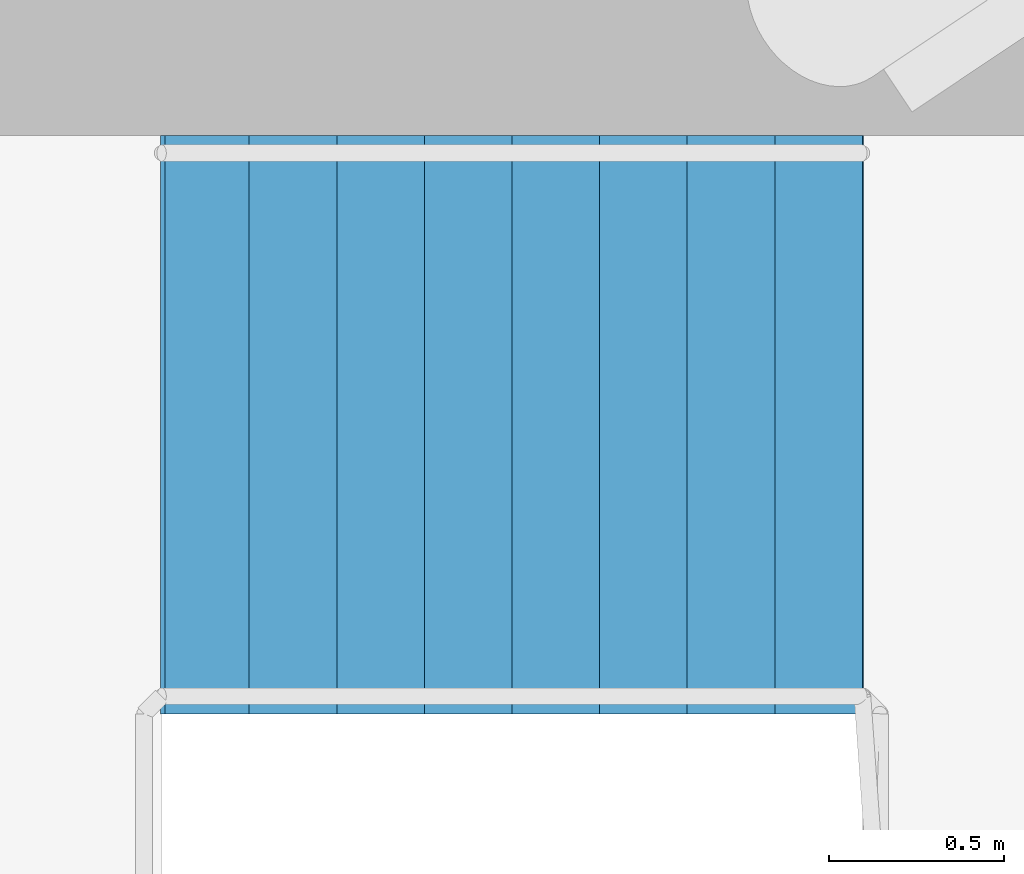
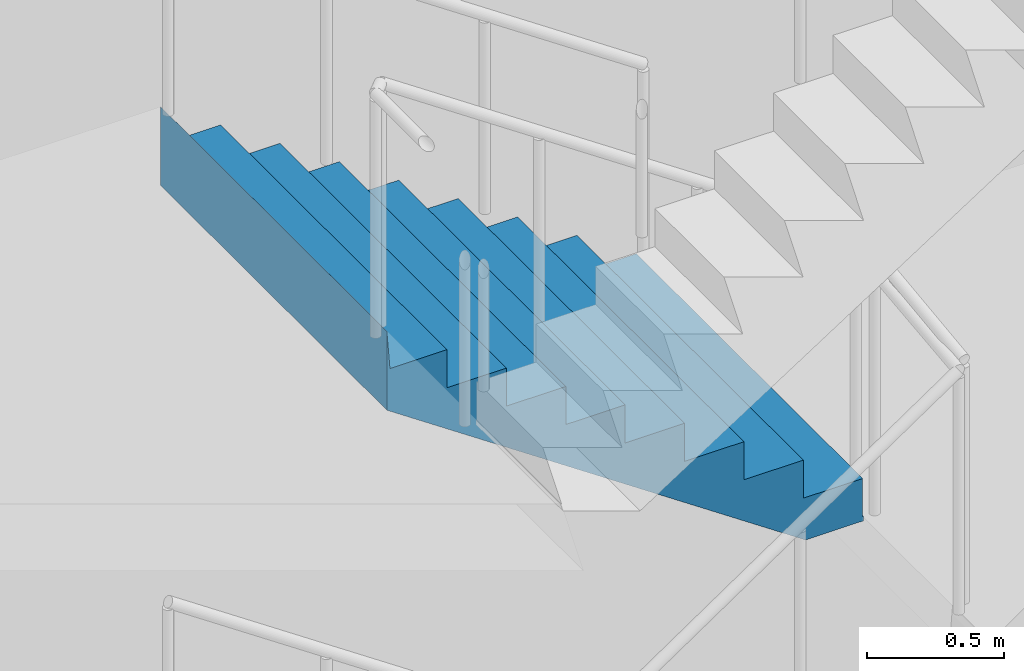
# One storey, part 17 of 22: 1 stair flight, 1 element without a shape of its own.
"""IFC4 building model written with IfcOpenShell, lengths in metres."""

from ifc_helpers import new_model, si_unit, direction, frame, origin, place, context, subcontext, project, spatial, triangles, material, type_object, element, aggregate, save


model = new_model("IFC4")

# Units and contexts
model_context = context("Model", 3, precision=1e-05, world=origin(), true_north=direction((0.0, 1.0)))
body_context = subcontext(model_context, "Body", "Model", "MODEL_VIEW")
ifc_project = project(units=[si_unit("LENGTHUNIT", "METRE"), si_unit("AREAUNIT", "SQUARE_METRE"), si_unit("VOLUMEUNIT", "CUBIC_METRE"), si_unit("PLANEANGLEUNIT", "RADIAN"), si_unit("MASSUNIT", "GRAM", prefix="KILO")], contexts=[model_context])

# Site, building, storey
site_placement = place(None, origin())
site = spatial("IfcSite", under=ifc_project, at=site_placement, CompositionType="ELEMENT")
building_placement = place(site_placement, origin())
building = spatial("IfcBuilding", under=site, at=building_placement, Name="Maasbend Ring Residences", CompositionType="ELEMENT")
storey_placement = place(building_placement, frame((0.0, 0.0, 57.5)))
storey = spatial("IfcBuildingStorey", under=building, at=storey_placement, Name="L16", CompositionType="ELEMENT", Elevation=57.5)

# Stair, stair flight
ifc_material_1 = material(Name="Concrete C40/50", Category="concrete")
stair_type = type_object("IfcStairType", Name="CORE STAIR 36 RISERS", PredefinedType="HALF_TURN_STAIR", material=ifc_material_1)
stair_placement = place(storey_placement, origin())
stair = element("IfcStair", 1, at=stair_placement, inside=storey, type_object=stair_type, Name="L16 Exit stair ST-E1", PredefinedType="HALF_TURN_STAIR")
ifc_material_2 = material(Name="Concrete C40/50", Category="concrete")
stair_flight_type = type_object("IfcStairFlightType", Name="CORE STAIR FLIGHT 1650", PredefinedType="STRAIGHT", material=ifc_material_2)
stair_flight_placement = place(storey_placement, frame((13.550048828125, 7.77490234375, 3.050048828125), z_axis=(0.0, 0.0, 1.0), x_axis=(-1.0, 0.0, 0.0)))
stair_flight = element("IfcStairFlight", 2, at=stair_flight_placement, type_object=stair_flight_type, Name="ST-E1 flight 3", NumberOfRisers=9, NumberOfTreads=8, PredefinedType="STRAIGHT", RiserHeight=0.169444444, TreadLength=0.25, context=body_context, shape_type="Tessellation", body=[
    triangles([(0.24072265625, 0.824951171875, -0.02001953125), (2.0029296875, 0.824951171875, 1.174560546875), (2.0029296875, 0.824951171875, 1.52490234375), (1.989990234375, 0.824951171875, 1.35546875), (1.75, 0.824951171875, 1.35546875), (1.75, 0.824951171875, 1.18603515625), (1.5, 0.824951171875, 1.18603515625), (1.5, 0.824951171875, 1.0166015625), (1.25, 0.824951171875, 1.0166015625), (1.25, 0.824951171875, 0.84716796875), (1.0, 0.824951171875, 0.84716796875), (1.0, 0.824951171875, 0.677734375), (0.75, 0.824951171875, 0.677734375), (0.75, 0.824951171875, 0.50830078125), (0.5, 0.824951171875, 0.50830078125), (0.5, 0.824951171875, 0.3388671875), (0.25, 0.824951171875, 0.3388671875), (0.25, 0.824951171875, 0.16943359375), (0.0, 0.824951171875, 0.16943359375), (0.0, 0.824951171875, 0.0), (-0.0029296875, 0.824951171875, 0.0), (-0.0029296875, 0.824951171875, -0.02001953125), (0.24072265625, 0.27490234375, -0.02001953125), (2.0029296875, 0.27490234375, 1.174560546875), (2.0029296875, 0.27490234375, 1.52490234375), (1.989990234375, 0.27490234375, 1.35546875), (1.75, 0.27490234375, 1.35546875), (1.75, 0.27490234375, 1.18603515625), (1.5, 0.27490234375, 1.18603515625), (1.5, 0.27490234375, 1.0166015625), (1.25, 0.27490234375, 1.0166015625), (1.25, 0.27490234375, 0.84716796875), (1.0, 0.27490234375, 0.84716796875), (1.0, 0.27490234375, 0.677734375), (0.75, 0.27490234375, 0.677734375), (0.75, 0.27490234375, 0.50830078125), (0.5, 0.27490234375, 0.50830078125), (0.5, 0.27490234375, 0.3388671875), (0.25, 0.27490234375, 0.3388671875), (0.25, 0.27490234375, 0.16943359375), (0.0, 0.27490234375, 0.16943359375), (0.0, 0.27490234375, 0.0), (-0.0029296875, 0.27490234375, 0.0), (-0.0029296875, 0.27490234375, -0.02001953125), (0.24072265625, -0.27490234375, -0.02001953125), (2.0029296875, -0.27490234375, 1.174560546875), (2.0029296875, -0.27490234375, 1.52490234375), (1.989990234375, -0.27490234375, 1.35546875), (1.75, -0.27490234375, 1.35546875), (1.75, -0.27490234375, 1.18603515625), (1.5, -0.27490234375, 1.18603515625), (1.5, -0.27490234375, 1.0166015625), (1.25, -0.27490234375, 1.0166015625), (1.25, -0.27490234375, 0.84716796875), (1.0, -0.27490234375, 0.84716796875), (1.0, -0.27490234375, 0.677734375), (0.75, -0.27490234375, 0.677734375), (0.75, -0.27490234375, 0.50830078125), (0.5, -0.27490234375, 0.50830078125), (0.5, -0.27490234375, 0.3388671875), (0.25, -0.27490234375, 0.3388671875), (0.25, -0.27490234375, 0.16943359375), (0.0, -0.27490234375, 0.16943359375), (0.0, -0.27490234375, 0.0), (-0.0029296875, -0.27490234375, 0.0), (-0.0029296875, -0.27490234375, -0.02001953125), (0.24072265625, -0.824951171875, -0.02001953125), (2.0029296875, -0.824951171875, 1.174560546875), (2.0029296875, -0.824951171875, 1.52490234375), (1.989990234375, -0.824951171875, 1.35546875), (1.75, -0.824951171875, 1.35546875), (1.75, -0.824951171875, 1.18603515625), (1.5, -0.824951171875, 1.18603515625), (1.5, -0.824951171875, 1.0166015625), (1.25, -0.824951171875, 1.0166015625), (1.25, -0.824951171875, 0.84716796875), (1.0, -0.824951171875, 0.84716796875), (1.0, -0.824951171875, 0.677734375), (0.75, -0.824951171875, 0.677734375), (0.75, -0.824951171875, 0.50830078125), (0.5, -0.824951171875, 0.50830078125), (0.5, -0.824951171875, 0.3388671875), (0.25, -0.824951171875, 0.3388671875), (0.25, -0.824951171875, 0.16943359375), (0.0, -0.824951171875, 0.16943359375), (0.0, -0.824951171875, 0.0), (-0.0029296875, -0.824951171875, 0.0), (-0.0029296875, -0.824951171875, -0.02001953125)], [[1, 2, 24], [1, 24, 23], [23, 24, 46], [23, 46, 45], [45, 46, 68], [45, 68, 67], [2, 3, 25], [2, 25, 24], [24, 25, 47], [24, 47, 46], [46, 47, 69], [46, 69, 68], [3, 4, 26], [3, 26, 25], [25, 26, 48], [25, 48, 47], [47, 48, 70], [47, 70, 69], [4, 5, 27], [4, 27, 26], [26, 27, 49], [26, 49, 48], [48, 49, 71], [48, 71, 70], [5, 6, 28], [5, 28, 27], [27, 28, 50], [27, 50, 49], [49, 50, 72], [49, 72, 71], [6, 7, 29], [6, 29, 28], [28, 29, 51], [28, 51, 50], [50, 51, 73], [50, 73, 72], [7, 8, 30], [7, 30, 29], [29, 30, 52], [29, 52, 51], [51, 52, 74], [51, 74, 73], [8, 9, 31], [8, 31, 30], [30, 31, 53], [30, 53, 52], [52, 53, 75], [52, 75, 74], [9, 10, 32], [9, 32, 31], [31, 32, 54], [31, 54, 53], [53, 54, 76], [53, 76, 75], [10, 11, 33], [10, 33, 32], [32, 33, 55], [32, 55, 54], [54, 55, 77], [54, 77, 76], [11, 12, 34], [11, 34, 33], [33, 34, 56], [33, 56, 55], [55, 56, 78], [55, 78, 77], [12, 13, 35], [12, 35, 34], [34, 35, 57], [34, 57, 56], [56, 57, 79], [56, 79, 78], [13, 14, 36], [13, 36, 35], [35, 36, 58], [35, 58, 57], [57, 58, 80], [57, 80, 79], [14, 15, 37], [14, 37, 36], [36, 37, 59], [36, 59, 58], [58, 59, 81], [58, 81, 80], [15, 16, 38], [15, 38, 37], [37, 38, 60], [37, 60, 59], [59, 60, 82], [59, 82, 81], [16, 17, 39], [16, 39, 38], [38, 39, 61], [38, 61, 60], [60, 61, 83], [60, 83, 82], [17, 18, 40], [17, 40, 39], [39, 40, 62], [39, 62, 61], [61, 62, 84], [61, 84, 83], [18, 19, 41], [18, 41, 40], [40, 41, 63], [40, 63, 62], [62, 63, 85], [62, 85, 84], [19, 20, 42], [19, 42, 41], [41, 42, 64], [41, 64, 63], [63, 64, 86], [63, 86, 85], [20, 21, 43], [20, 43, 42], [42, 43, 65], [42, 65, 64], [64, 65, 87], [64, 87, 86], [21, 22, 44], [21, 44, 43], [43, 44, 66], [43, 66, 65], [65, 66, 88], [65, 88, 87], [22, 1, 23], [22, 23, 44], [44, 23, 45], [44, 45, 66], [66, 45, 67], [66, 67, 88], [22, 2, 1], [2, 4, 3], [2, 5, 4], [2, 6, 5], [22, 6, 2], [6, 8, 7], [22, 8, 6], [8, 10, 9], [22, 10, 8], [10, 12, 11], [22, 12, 10], [12, 14, 13], [22, 14, 12], [14, 16, 15], [22, 16, 14], [16, 18, 17], [22, 18, 16], [18, 20, 19], [22, 20, 18], [20, 22, 21], [88, 67, 68], [68, 69, 70], [68, 70, 71], [68, 71, 72], [88, 68, 72], [72, 73, 74], [88, 72, 74], [74, 75, 76], [88, 74, 76], [76, 77, 78], [88, 76, 78], [78, 79, 80], [88, 78, 80], [80, 81, 82], [88, 80, 82], [82, 83, 84], [88, 82, 84], [84, 85, 86], [88, 84, 86], [86, 87, 88]], closed=True),
])
aggregate(stair, [stair_flight])

save(model, "model.ifc")
